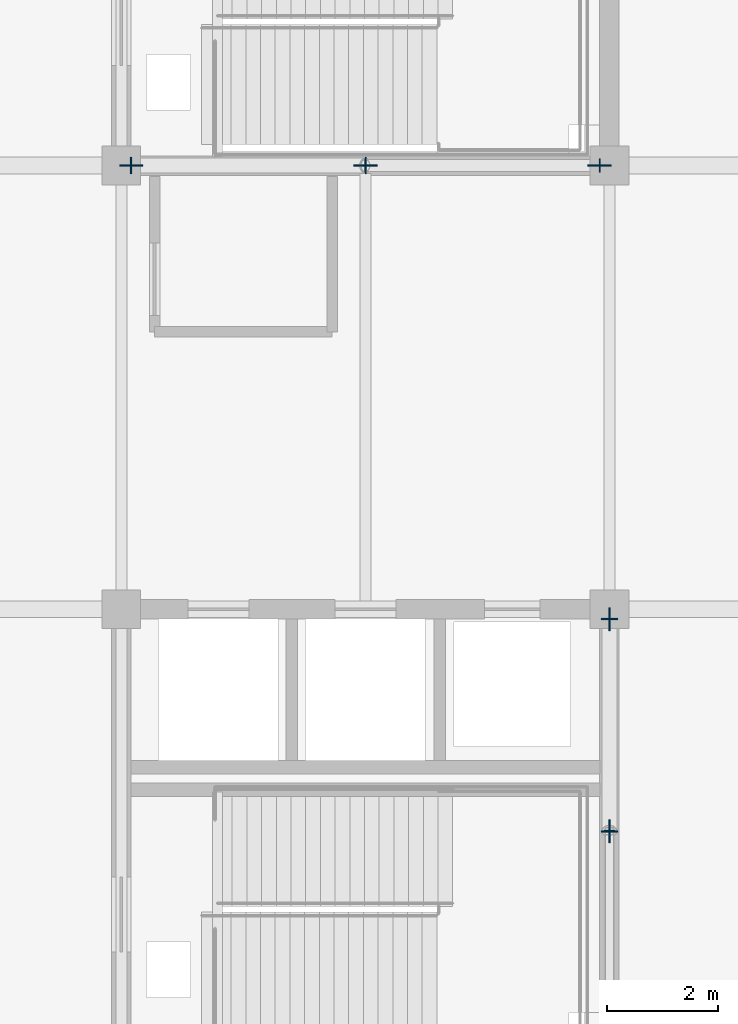
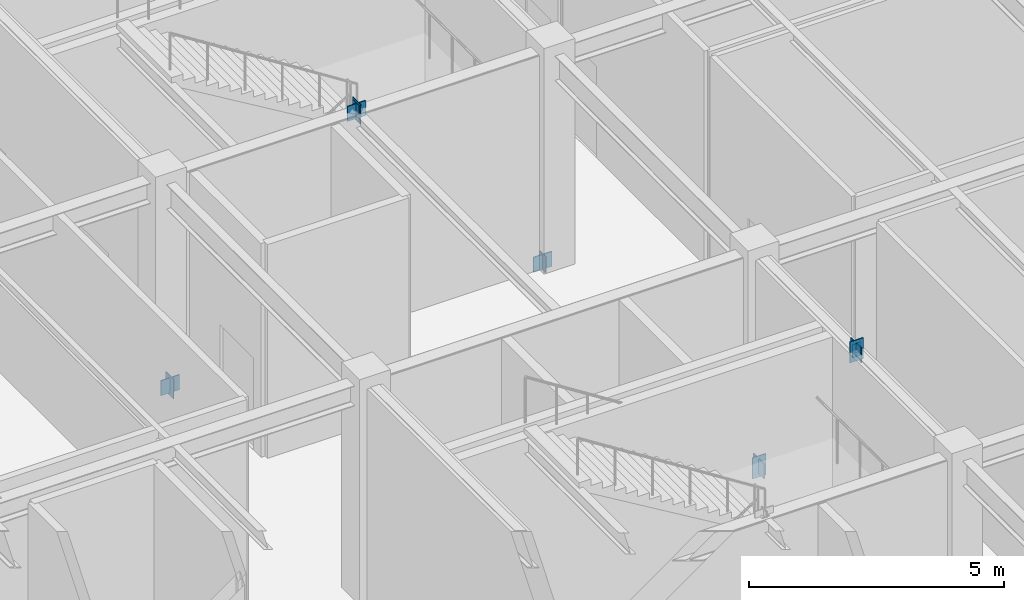
# One storey, part 73 of 119: 12 plates.
"""IFC4 building model written with IfcOpenShell, lengths in metres."""

from ifc_helpers import new_model, si_unit, direction, frame, origin, origin_2d, place, context, subcontext, project, spatial, rectangle, extrude, material, layer, layer_set, type_object, element, save


model = new_model("IFC4")

# Units and contexts
model_context = context("Model", 3, precision=1e-05, world=origin(), true_north=direction((0.0, 1.0)))
body_context = subcontext(model_context, "Body", "Model", "MODEL_VIEW")
ifc_project = project(units=[si_unit("LENGTHUNIT", "METRE"), si_unit("AREAUNIT", "SQUARE_METRE"), si_unit("VOLUMEUNIT", "CUBIC_METRE"), si_unit("PLANEANGLEUNIT", "RADIAN"), si_unit("MASSUNIT", "GRAM", prefix="KILO")], contexts=[model_context])

# Site, building, storey
site_placement = place(None, origin())
site = spatial("IfcSite", under=ifc_project, at=site_placement, CompositionType="ELEMENT")
building_placement = place(site_placement, origin())
building = spatial("IfcBuilding", under=site, at=building_placement, Name="Zhaolan Boulevard Law Courts", CompositionType="ELEMENT")
storey_placement = place(building_placement, origin())
storey = spatial("IfcBuildingStorey", under=building, at=storey_placement, Name="L00", CompositionType="ELEMENT", Elevation=0.0)

# Plates
ifc_material_1 = material(Name="Structural steel Q355B", Category="steel")
ifc_layer_1 = layer(ifc_material_1, 0.02392578125)
ifc_layer_set_1 = layer_set([ifc_layer_1])
plate_type_1 = type_object("IfcPlateType", Name="BRACE GUSSET PLATE 24", PredefinedType="SHEET", material=ifc_layer_set_1)
for number, where, z_axis, x_axis, name in (
    (1, (26.39990234375, 53.820068359375, -0.14990234375), (0.0, 0.0, 1.0), (0.0, 1.0, 0.0), "Brace Gusset Connection Plate GP-W1-L00-EA2"),
    (2, (26.39990234375, 50.0, 4.93994140625), (0.0, 0.0, 1.0), (0.0, 1.0, 0.0), "Brace Gusset Connection Plate GP-W1-L00-EAPX"),
    (3, (17.780029296875, 62.0, -0.14990234375), (0.0, 0.0, 1.0), (1.0, 0.0, 0.0), "Brace Gusset Connection Plate GP-W2-L00-SA1"),
    (4, (26.219970703125, 62.0, -0.14990234375), (0.0, 0.0, 1.0), (1.0, 0.0, 0.0), "Brace Gusset Connection Plate GP-W2-L00-SA2"),
    (5, (22.0, 62.0, 4.93994140625), (0.0, 0.0, 1.0), (1.0, 0.0, 0.0), "Brace Gusset Connection Plate GP-W2-L00-SAPX"),
):
    element("IfcPlate", number, at=place(storey_placement, frame(where, z_axis=z_axis, x_axis=x_axis)), inside=storey, type_object=plate_type_1, Name=name, PredefinedType="SHEET", context=body_context, shape_type="SweptSolid", body=[
        extrude(rectangle(XDim=0.419921875, YDim=0.02392578125, at=origin_2d()), origin(), (0.0, 0.0, 1.0), 0.360107421875),
    ])
ifc_material_2 = material(Name="Structural steel Q355B", Category="steel")
ifc_layer_2 = layer(ifc_material_2, 0.02001953125)
ifc_layer_set_2 = layer_set([ifc_layer_2])
plate_type_2 = type_object("IfcPlateType", Name="END CAP PLATE 20", PredefinedType="SHEET", material=ifc_layer_set_2)
plate_placement = place(storey_placement, frame((26.39990234375, 50.0048828125, 4.968017578125), z_axis=(0.0, 0.0, 1.0), x_axis=(0.0, 1.0, 0.0)))
element("IfcPlate", 6, at=plate_placement, inside=storey, type_object=plate_type_2, Name="Hollow Section End-Cap Plate ECP-1060", PredefinedType="SHEET", context=body_context, shape_type="SweptSolid", body=[
    extrude(rectangle(XDim=0.02001953125, YDim=0.18994140625, at=origin_2d()), origin(), (0.0, 0.0, 1.0), 0.31689453125),
])
for number, where, z_axis, x_axis, name in (
    (7, (26.39990234375, 53.82470703125, -0.228759765625), (0.0, 0.0, 1.0), (0.0, -1.0, 0.0), "Hollow Section End-Cap Plate ECP-1061"),
    (8, (26.39990234375, 49.9951171875, 4.8740234375), (0.0, 0.0, 1.0), (0.0, -1.0, 0.0), "Hollow Section End-Cap Plate ECP-1062"),
):
    element("IfcPlate", number, at=place(storey_placement, frame(where, z_axis=z_axis, x_axis=x_axis)), inside=storey, type_object=plate_type_2, Name=name, PredefinedType="SHEET", context=body_context, shape_type="SweptSolid", body=[
        extrude(rectangle(XDim=0.02001953125, YDim=0.302978515625, at=origin_2d()), origin(), (0.0, 0.0, 1.0), 0.5048828125),
    ])
for number, where, z_axis, x_axis, name in (
    (9, (17.77490234375, 62.0, -0.2138671875), (0.0, 0.0, 1.0), (1.0, 0.0, 0.0), "Hollow Section End-Cap Plate ECP-1147"),
    (10, (22.005126953125, 62.0, 4.888671875), (0.0, 0.0, 1.0), (1.0, 0.0, 0.0), "Hollow Section End-Cap Plate ECP-1148"),
):
    element("IfcPlate", number, at=place(storey_placement, frame(where, z_axis=z_axis, x_axis=x_axis)), inside=storey, type_object=plate_type_2, Name=name, PredefinedType="SHEET", context=body_context, shape_type="SweptSolid", body=[
        extrude(rectangle(XDim=0.02001953125, YDim=0.302978515625, at=origin_2d()), origin(), (0.0, 0.0, 1.0), 0.47509765625),
    ])
for number, where, z_axis, x_axis, name in (
    (11, (26.22509765625, 62.0, -0.17138671875), (0.0, 0.0, 1.0), (-1.0, 0.0, 0.0), "Hollow Section End-Cap Plate ECP-1149"),
    (12, (21.994873046875, 62.0, 4.93115234375), (0.0, 0.0, 1.0), (-1.0, 0.0, 0.0), "Hollow Section End-Cap Plate ECP-1150"),
):
    element("IfcPlate", number, at=place(storey_placement, frame(where, z_axis=z_axis, x_axis=x_axis)), inside=storey, type_object=plate_type_2, Name=name, PredefinedType="SHEET", context=body_context, shape_type="SweptSolid", body=[
        extrude(rectangle(XDim=0.02001953125, YDim=0.2490234375, at=origin_2d()), origin(), (0.0, 0.0, 1.0), 0.389892578125),
    ])

save(model, "model.ifc")
